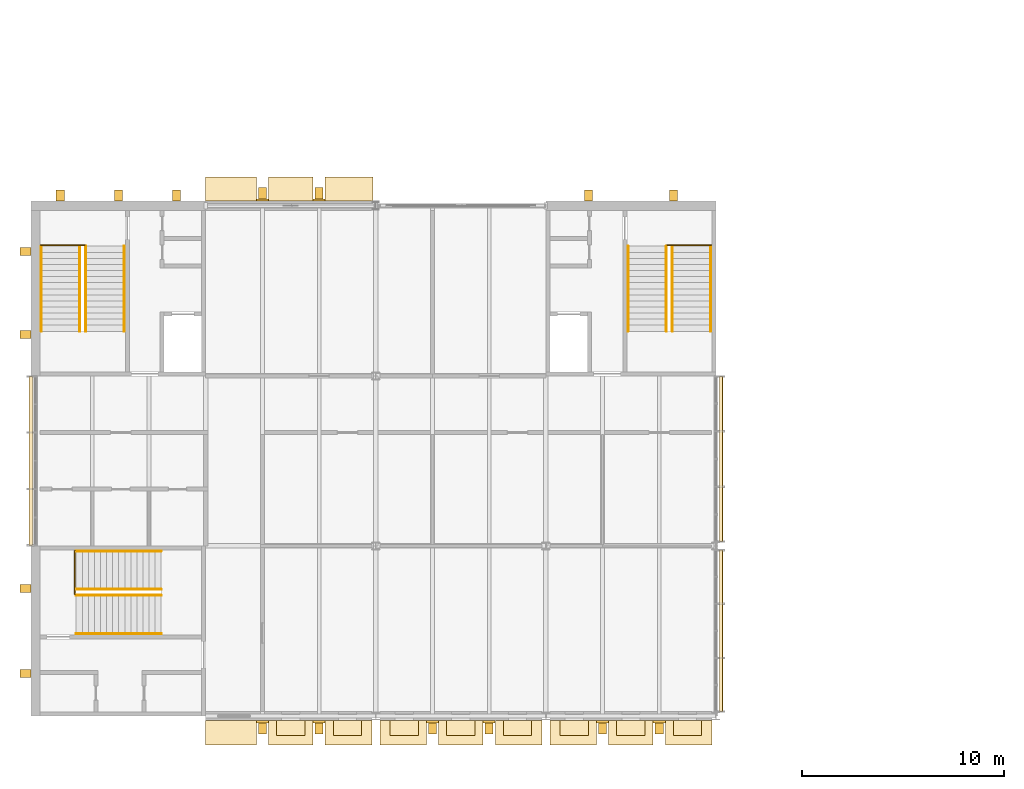
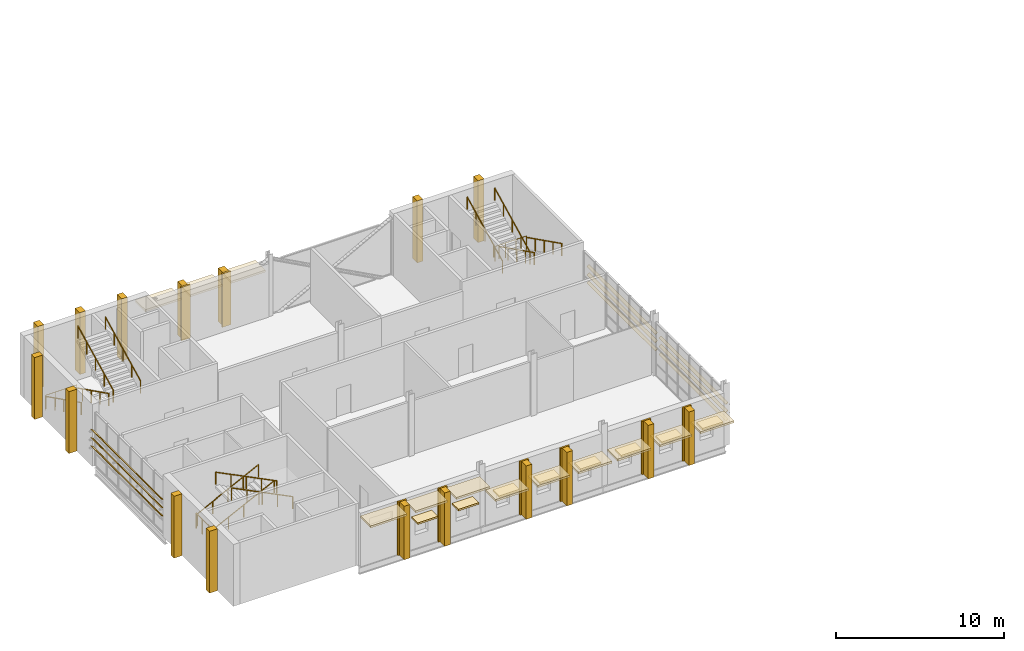
# One storey, part 21 of 22: 54 coverings, 15 railings.
"""IFC4 building model written with IfcOpenShell, lengths in metres."""

from ifc_helpers import new_model, si_unit, direction, frame, origin, origin_2d, place, context, subcontext, project, spatial, rectangle, circle, extrude, material, layer, layer_set, material_profile, profile_set, type_object, element, save


model = new_model("IFC4")

# Units and contexts
model_context = context("Model", 3, precision=1e-05, world=origin(), true_north=direction((0.0, 1.0)))
body_context = subcontext(model_context, "Body", "Model", "MODEL_VIEW")
ifc_project = project(units=[si_unit("LENGTHUNIT", "METRE"), si_unit("AREAUNIT", "SQUARE_METRE"), si_unit("VOLUMEUNIT", "CUBIC_METRE"), si_unit("PLANEANGLEUNIT", "RADIAN"), si_unit("MASSUNIT", "GRAM", prefix="KILO")], contexts=[model_context])

# Site, building, storey
site_placement = place(None, origin())
site = spatial("IfcSite", under=ifc_project, at=site_placement, CompositionType="ELEMENT")
building_placement = place(site_placement, origin())
building = spatial("IfcBuilding", under=site, at=building_placement, Name="Ardhachandra Cancer Care Centre", CompositionType="ELEMENT")
storey_placement = place(building_placement, frame((0.0, 0.0, 18.0)))
storey = spatial("IfcBuildingStorey", under=building, at=storey_placement, Name="L04", CompositionType="ELEMENT", Elevation=18.0)

# Coverings
ifc_material_1 = material(Name="Brick masonry (clay brick, cement mortar) pier cladding", Category="masonry")
ifc_layer_1 = layer(ifc_material_1, 0.1201171875)
ifc_layer_set_1 = layer_set([ifc_layer_1], Name="Brick masonry (clay brick, cement mortar) pier cladding")
covering_type_1 = type_object("IfcCoveringType", Name="Brick pier cladding 600 x 120", PredefinedType="CLADDING", material=ifc_layer_set_1)
for number, where, z_axis, x_axis, name in (
    (1, (22.0, 96.885009765625, 0.0), (0.0, 0.0, 1.0), (1.0, 0.0, 0.0), "Pier cladding L04 L04/n/0019200_0096600"),
    (2, (24.800048828125, 96.885009765625, 0.0), (0.0, 0.0, 1.0), (1.0, 0.0, 0.0), "Pier cladding L04 L04/n/0019200_0096600"),
    (3, (22.0, 71.114990234375, 0.0), (0.0, 0.0, 1.0), (1.0, 0.0, 0.0), "Pier cladding L04 L04/s/0019200_0071400"),
    (4, (24.800048828125, 71.114990234375, 0.0), (0.0, 0.0, 1.0), (1.0, 0.0, 0.0), "Pier cladding L04 L04/s/0019200_0071400"),
    (5, (30.39990234375, 71.114990234375, 0.0), (0.0, 0.0, 1.0), (1.0, 0.0, 0.0), "Pier cladding L04 L04/s/0027600_0071400"),
    (6, (33.199951171875, 71.114990234375, 0.0), (0.0, 0.0, 1.0), (1.0, 0.0, 0.0), "Pier cladding L04 L04/s/0027600_0071400"),
    (7, (38.800048828125, 71.114990234375, 0.0), (0.0, 0.0, 1.0), (1.0, 0.0, 0.0), "Pier cladding L04 L04/s/0036000_0071400"),
    (8, (41.60009765625, 71.114990234375, 0.0), (0.0, 0.0, 1.0), (1.0, 0.0, 0.0), "Pier cladding L04 L04/s/0036000_0071400"),
):
    element("IfcCovering", number, at=place(storey_placement, frame(where, z_axis=z_axis, x_axis=x_axis)), inside=storey, type_object=covering_type_1, Name=name, PredefinedType="CLADDING", context=body_context, shape_type="SweptSolid", body=[
        extrude(rectangle(XDim=0.60009765625, YDim=0.1201171875, at=origin_2d()), origin(), (0.0, 0.0, 1.0), 3.885986328125),
    ])

# Railings
ifc_material_2 = material(Name="Steel E250 (IS 2062)", Category="steel")
railing_type_1 = type_object("IfcRailingType", Name="Guard 1100", PredefinedType="GUARDRAIL", material=ifc_material_2)
railing_1_placement = place(storey_placement, frame((11.054931640625, 94.659912109375, 0.0)))
element("IfcRailing", 9, at=railing_1_placement, inside=storey, type_object=railing_type_1, Name="Stair well guard K4 L04", PredefinedType="GUARDRAIL", context=body_context, shape_type="SweptSolid", body=[
    extrude(circle(Radius=0.02392578125, at=origin_2d()), frame((0.0, 0.0, 1.076171875), z_axis=(1.0, 0.0, 0.0), x_axis=(0.0, 1.0, 0.0)), (0.0, 0.0, 1.0), 2.170166015625),
    extrude(circle(Radius=0.02099609375, at=origin_2d()), origin(), (0.0, 0.0, 1.0), 1.052001953125),
    extrude(circle(Radius=0.02099609375, at=origin_2d()), frame((0.723388671875, 0.0, 0.0)), (0.0, 0.0, 1.0), 1.052001953125),
    extrude(circle(Radius=0.02099609375, at=origin_2d()), frame((1.44677734375, 0.0, 0.0)), (0.0, 0.0, 1.0), 1.052001953125),
    extrude(circle(Radius=0.02099609375, at=origin_2d()), frame((2.170166015625, 0.0, 0.0)), (0.0, 0.0, 1.0), 1.052001953125),
])
railing_2_placement = place(storey_placement, frame((44.169921875, 94.659912109375, 0.0)))
element("IfcRailing", 10, at=railing_2_placement, inside=storey, type_object=railing_type_1, Name="Stair well guard K5 L04", PredefinedType="GUARDRAIL", context=body_context, shape_type="SweptSolid", body=[
    extrude(circle(Radius=0.02392578125, at=origin_2d()), frame((0.0, 0.0, 1.076171875), z_axis=(-1.0, 0.0, 0.0), x_axis=(0.0, -1.0, 0.0)), (0.0, 0.0, 1.0), 2.169921875),
    extrude(circle(Radius=0.02099609375, at=origin_2d()), origin(), (0.0, 0.0, 1.0), 1.052001953125),
    extrude(circle(Radius=0.02099609375, at=origin_2d()), frame((-0.723388671875, 0.0, 0.0)), (0.0, 0.0, 1.0), 1.052001953125),
    extrude(circle(Radius=0.02099609375, at=origin_2d()), frame((-1.446533203125, 0.0, 0.0)), (0.0, 0.0, 1.0), 1.052001953125),
    extrude(circle(Radius=0.02099609375, at=origin_2d()), frame((-2.169921875, 0.0, 0.0)), (0.0, 0.0, 1.0), 1.052001953125),
])
railing_3_placement = place(storey_placement, frame((12.739990234375, 79.570068359375, 0.0)))
element("IfcRailing", 11, at=railing_3_placement, inside=storey, type_object=railing_type_1, Name="Stair well guard K6 L04", PredefinedType="GUARDRAIL", context=body_context, shape_type="SweptSolid", body=[
    extrude(circle(Radius=0.02392578125, at=origin_2d()), frame((0.0, 0.0, 1.076171875), z_axis=(0.0, -1.0, 0.0), x_axis=(1.0, 0.0, 0.0)), (0.0, 0.0, 1.0), 2.170166015625),
    extrude(circle(Radius=0.02099609375, at=origin_2d()), origin(), (0.0, 0.0, 1.0), 1.052001953125),
    extrude(circle(Radius=0.02099609375, at=origin_2d()), frame((0.0, -0.723388671875, 0.0)), (0.0, 0.0, 1.0), 1.052001953125),
    extrude(circle(Radius=0.02099609375, at=origin_2d()), frame((0.0, -1.44677734375, 0.0)), (0.0, 0.0, 1.0), 1.052001953125),
    extrude(circle(Radius=0.02099609375, at=origin_2d()), frame((0.0, -2.170166015625, 0.0)), (0.0, 0.0, 1.0), 1.052001953125),
])

# Coverings
ifc_material_3 = material(Name="Anodised aluminium extrusion", Category="aluminium")
ifc_material_profile = material_profile(ifc_material_3, rectangle(XDim=0.199951171875, YDim=0.02001953125, at=origin_2d()), Name="Louvre blade 200 x 20")
ifc_profile_set = profile_set([ifc_material_profile], Name="Anodised aluminium extrusion")
covering_type_2 = type_object("IfcCoveringType", Name="Louvre blade 200 x 20", PredefinedType="CLADDING", material=ifc_profile_set)
for number, where, z_axis, x_axis, name in (
    (12, (44.655029296875, 71.614013671875, 1.5), (0.0, 1.0, 0.0), (-0.819152044289, 0.0, -0.573576436351), "Louvre blade over curtain wall L04/e/0044400_0071400 1"),
    (13, (44.655029296875, 71.614013671875, 2.10009765625), (0.0, 1.0, 0.0), (-0.819152044289, 0.0, -0.573576436351), "Louvre blade over curtain wall L04/e/0044400_0071400 2"),
    (14, (44.655029296875, 71.614013671875, 2.699951171875), (0.0, 1.0, 0.0), (-0.819152044289, 0.0, -0.573576436351), "Louvre blade over curtain wall L04/e/0044400_0071400 3"),
):
    element("IfcCovering", number, at=place(storey_placement, frame(where, z_axis=z_axis, x_axis=x_axis)), inside=storey, type_object=covering_type_2, Name=name, PredefinedType="CLADDING", context=body_context, shape_type="SweptSolid", body=[
        extrude(rectangle(XDim=0.199951171875, YDim=0.02001953125, at=origin_2d()), origin(), (0.0, 0.0, 1.0), 7.971923828125),
    ])
for number, where, z_axis, x_axis, name in (
    (15, (44.655029296875, 80.013916015625, 1.5), (0.0, 1.0, 0.0), (-0.819152044289, 0.0, -0.573576436351), "Louvre blade over curtain wall L04/e/0044400_0079800 1"),
    (16, (44.655029296875, 80.013916015625, 2.10009765625), (0.0, 1.0, 0.0), (-0.819152044289, 0.0, -0.573576436351), "Louvre blade over curtain wall L04/e/0044400_0079800 2"),
    (17, (44.655029296875, 80.013916015625, 2.699951171875), (0.0, 1.0, 0.0), (-0.819152044289, 0.0, -0.573576436351), "Louvre blade over curtain wall L04/e/0044400_0079800 3"),
):
    element("IfcCovering", number, at=place(storey_placement, frame(where, z_axis=z_axis, x_axis=x_axis)), inside=storey, type_object=covering_type_2, Name=name, PredefinedType="CLADDING", context=body_context, shape_type="SweptSolid", body=[
        extrude(rectangle(XDim=0.199951171875, YDim=0.02001953125, at=origin_2d()), origin(), (0.0, 0.0, 1.0), 8.156005859375),
    ])
for number, where, z_axis, x_axis, name in (
    (18, (10.544921875, 79.830078125, 1.5), (0.0, 1.0, 0.0), (-0.819152044289, 0.0, 0.573576436351), "Louvre blade over curtain wall L04/w/0010800_0079800 1"),
    (19, (10.544921875, 79.830078125, 2.10009765625), (0.0, 1.0, 0.0), (-0.819152044289, 0.0, 0.573576436351), "Louvre blade over curtain wall L04/w/0010800_0079800 2"),
    (20, (10.544921875, 79.830078125, 2.699951171875), (0.0, 1.0, 0.0), (-0.819152044289, 0.0, 0.573576436351), "Louvre blade over curtain wall L04/w/0010800_0079800 3"),
):
    element("IfcCovering", number, at=place(storey_placement, frame(where, z_axis=z_axis, x_axis=x_axis)), inside=storey, type_object=covering_type_2, Name=name, PredefinedType="CLADDING", context=body_context, shape_type="SweptSolid", body=[
        extrude(rectangle(XDim=0.199951171875, YDim=0.02001953125, at=origin_2d()), origin(), (0.0, 0.0, 1.0), 8.33984375),
    ])
ifc_material_4 = material(Name="Precast Concrete M25", Category="concrete")
ifc_layer_2 = layer(ifc_material_4, 0.1201171875)
ifc_layer_set_2 = layer_set([ifc_layer_2], Name="Precast Concrete M25")
covering_type_3 = type_object("IfcCoveringType", Name="Precast chajja 750 x 120", PredefinedType="USERDEFINED", material=ifc_layer_set_2)
for number, where, z_axis, x_axis, name in (
    (21, (23.39990234375, 70.800048828125, 2.300048828125), (0.0, 0.0, 1.0), (1.0, 0.0, 0.0), "Chajja L04/s/0019200_0071400/02"),
    (22, (26.199951171875, 70.800048828125, 2.300048828125), (0.0, 0.0, 1.0), (1.0, 0.0, 0.0), "Chajja L04/s/0019200_0071400/03"),
    (23, (29.0, 70.800048828125, 2.300048828125), (0.0, 0.0, 1.0), (1.0, 0.0, 0.0), "Chajja L04/s/0027600_0071400/01"),
    (24, (31.800048828125, 70.800048828125, 2.300048828125), (0.0, 0.0, 1.0), (1.0, 0.0, 0.0), "Chajja L04/s/0027600_0071400/02"),
    (25, (34.60009765625, 70.800048828125, 2.300048828125), (0.0, 0.0, 1.0), (1.0, 0.0, 0.0), "Chajja L04/s/0027600_0071400/03"),
    (26, (37.39990234375, 70.800048828125, 2.300048828125), (0.0, 0.0, 1.0), (1.0, 0.0, 0.0), "Chajja L04/s/0036000_0071400/01"),
    (27, (40.199951171875, 70.800048828125, 2.300048828125), (0.0, 0.0, 1.0), (1.0, 0.0, 0.0), "Chajja L04/s/0036000_0071400/02"),
    (28, (43.0, 70.800048828125, 2.300048828125), (0.0, 0.0, 1.0), (1.0, 0.0, 0.0), "Chajja L04/s/0036000_0071400/03"),
):
    element("IfcCovering", number, at=place(storey_placement, frame(where, z_axis=z_axis, x_axis=x_axis)), inside=storey, type_object=covering_type_3, Name=name, ObjectType="CHAJJA", PredefinedType="USERDEFINED", context=body_context, shape_type="SweptSolid", body=[
        extrude(rectangle(XDim=1.39990234375, YDim=0.75, at=origin_2d()), origin(), (0.0, 0.0, 1.0), 0.1201171875),
    ])
ifc_material_5 = material(Name="Precast Concrete M25", Category="concrete")
ifc_layer_3 = layer(ifc_material_5, 0.39990234375)
ifc_layer_set_3 = layer_set([ifc_layer_3], Name="Precast Concrete M25")
covering_type_4 = type_object("IfcCoveringType", Name="Precast concrete fin 400 x 550", PredefinedType="CLADDING", material=ifc_layer_set_3)
for number, where, z_axis, x_axis, name in (
    (29, (22.0, 97.219970703125, 0.0), (0.0, 0.0, 1.0), (1.0, 0.0, 0.0), "Fin L04 L04/n/0019200_0096600"),
    (30, (24.800048828125, 97.219970703125, 0.0), (0.0, 0.0, 1.0), (1.0, 0.0, 0.0), "Fin L04 L04/n/0019200_0096600"),
    (31, (22.0, 70.780029296875, 0.0), (0.0, 0.0, 1.0), (1.0, 0.0, 0.0), "Fin L04 L04/s/0019200_0071400"),
    (32, (24.800048828125, 70.780029296875, 0.0), (0.0, 0.0, 1.0), (1.0, 0.0, 0.0), "Fin L04 L04/s/0019200_0071400"),
    (33, (30.39990234375, 70.780029296875, 0.0), (0.0, 0.0, 1.0), (1.0, 0.0, 0.0), "Fin L04 L04/s/0027600_0071400"),
    (34, (33.199951171875, 70.780029296875, 0.0), (0.0, 0.0, 1.0), (1.0, 0.0, 0.0), "Fin L04 L04/s/0027600_0071400"),
    (35, (38.800048828125, 70.780029296875, 0.0), (0.0, 0.0, 1.0), (1.0, 0.0, 0.0), "Fin L04 L04/s/0036000_0071400"),
    (36, (41.60009765625, 70.780029296875, 0.0), (0.0, 0.0, 1.0), (1.0, 0.0, 0.0), "Fin L04 L04/s/0036000_0071400"),
):
    element("IfcCovering", number, at=place(storey_placement, frame(where, z_axis=z_axis, x_axis=x_axis)), inside=storey, type_object=covering_type_4, Name=name, PredefinedType="CLADDING", context=body_context, shape_type="SweptSolid", body=[
        extrude(rectangle(XDim=0.39990234375, YDim=0.550048828125, at=origin_2d()), origin(), (0.0, 0.0, 1.0), 3.885986328125),
    ])
for number, where, z_axis, x_axis, name in (
    (37, (12.012451171875, 97.10009765625, 0.0), (0.0, 0.0, 1.0), (1.0, 0.0, 0.0), "Fin L04 core K4 1"),
    (38, (14.887451171875, 97.10009765625, 0.0), (0.0, 0.0, 1.0), (1.0, 0.0, 0.0), "Fin L04 core K4 2"),
    (39, (17.762451171875, 97.10009765625, 0.0), (0.0, 0.0, 1.0), (1.0, 0.0, 0.0), "Fin L04 core K4 3"),
    (40, (10.300048828125, 90.24365234375, 0.0), (0.0, 0.0, 1.0), (0.0, 1.0, 0.0), "Fin L04 core K4 1"),
    (41, (10.300048828125, 94.331298828125, 0.0), (0.0, 0.0, 1.0), (0.0, 1.0, 0.0), "Fin L04 core K4 2"),
    (42, (38.10009765625, 97.10009765625, 0.0), (0.0, 0.0, 1.0), (1.0, 0.0, 0.0), "Fin L04 core K5 1"),
    (43, (42.300048828125, 97.10009765625, 0.0), (0.0, 0.0, 1.0), (1.0, 0.0, 0.0), "Fin L04 core K5 2"),
    (44, (10.300048828125, 73.5, 0.0), (0.0, 0.0, 1.0), (0.0, 1.0, 0.0), "Fin L04 core K6 1"),
    (45, (10.300048828125, 77.699951171875, 0.0), (0.0, 0.0, 1.0), (0.0, 1.0, 0.0), "Fin L04 core K6 2"),
):
    element("IfcCovering", number, at=place(storey_placement, frame(where, z_axis=z_axis, x_axis=x_axis)), inside=storey, type_object=covering_type_4, Name=name, PredefinedType="CLADDING", context=body_context, shape_type="SweptSolid", body=[
        extrude(rectangle(XDim=0.39990234375, YDim=0.550048828125, at=origin_2d()), origin(), (0.0, 0.0, 1.0), 4.5),
    ])
ifc_material_6 = material(Name="Precast Concrete M25", Category="concrete")
ifc_layer_4 = layer(ifc_material_6, 0.14990234375)
ifc_layer_set_4 = layer_set([ifc_layer_4], Name="Precast Concrete M25")
covering_type_5 = type_object("IfcCoveringType", Name="Precast sunshade band 1200 x 150", PredefinedType="CLADDING", material=ifc_layer_set_4)
covering_1_placement = place(storey_placement, frame((20.449951171875, 70.574951171875, 3.550048828125), z_axis=(0.0, 0.0, 1.0), x_axis=(1.0, 0.0, 0.0)))
element("IfcCovering", 46, at=covering_1_placement, inside=storey, type_object=covering_type_5, Name="Sunshade band L04 L04/s/0019200_0071400 1", PredefinedType="CLADDING", context=body_context, shape_type="SweptSolid", body=[
    extrude(rectangle(XDim=2.5, YDim=1.199951171875, at=origin_2d()), origin(), (0.0, 0.0, 1.0), 0.14990234375),
])
covering_2_placement = place(storey_placement, frame((23.39990234375, 70.574951171875, 3.550048828125), z_axis=(0.0, 0.0, 1.0), x_axis=(1.0, 0.0, 0.0)))
element("IfcCovering", 47, at=covering_2_placement, inside=storey, type_object=covering_type_5, Name="Sunshade band L04 L04/s/0019200_0071400 2", PredefinedType="CLADDING", context=body_context, shape_type="SweptSolid", body=[
    extrude(rectangle(XDim=2.199951171875, YDim=1.199951171875, at=origin_2d()), origin(), (0.0, 0.0, 1.0), 0.14990234375),
])
for number, where, z_axis, x_axis, name in (
    (48, (26.252197265625, 70.574951171875, 3.550048828125), (0.0, 0.0, 1.0), (1.0, 0.0, 0.0), "Sunshade band L04 L04/s/0019200_0071400 3"),
    (49, (28.94775390625, 70.574951171875, 2.449951171875), (0.0, 0.0, 1.0), (1.0, 0.0, 0.0), "Sunshade band L04 L04/s/0027600_0071400 1"),
):
    element("IfcCovering", number, at=place(storey_placement, frame(where, z_axis=z_axis, x_axis=x_axis)), inside=storey, type_object=covering_type_5, Name=name, PredefinedType="CLADDING", context=body_context, shape_type="SweptSolid", body=[
        extrude(rectangle(XDim=2.304443359375, YDim=1.199951171875, at=origin_2d()), origin(), (0.0, 0.0, 1.0), 0.14990234375),
    ])
covering_3_placement = place(storey_placement, frame((31.800048828125, 70.574951171875, 2.449951171875), z_axis=(0.0, 0.0, 1.0), x_axis=(1.0, 0.0, 0.0)))
element("IfcCovering", 50, at=covering_3_placement, inside=storey, type_object=covering_type_5, Name="Sunshade band L04 L04/s/0027600_0071400 2", PredefinedType="CLADDING", context=body_context, shape_type="SweptSolid", body=[
    extrude(rectangle(XDim=2.199951171875, YDim=1.199951171875, at=origin_2d()), origin(), (0.0, 0.0, 1.0), 0.14990234375),
])
for number, where, z_axis, x_axis, name in (
    (51, (34.65234375, 70.574951171875, 2.449951171875), (0.0, 0.0, 1.0), (1.0, 0.0, 0.0), "Sunshade band L04 L04/s/0027600_0071400 3"),
    (52, (37.34765625, 70.574951171875, 2.449951171875), (0.0, 0.0, 1.0), (1.0, 0.0, 0.0), "Sunshade band L04 L04/s/0036000_0071400 1"),
):
    element("IfcCovering", number, at=place(storey_placement, frame(where, z_axis=z_axis, x_axis=x_axis)), inside=storey, type_object=covering_type_5, Name=name, PredefinedType="CLADDING", context=body_context, shape_type="SweptSolid", body=[
        extrude(rectangle(XDim=2.304443359375, YDim=1.199951171875, at=origin_2d()), origin(), (0.0, 0.0, 1.0), 0.14990234375),
    ])
covering_4_placement = place(storey_placement, frame((40.199951171875, 70.574951171875, 2.449951171875), z_axis=(0.0, 0.0, 1.0), x_axis=(1.0, 0.0, 0.0)))
element("IfcCovering", 53, at=covering_4_placement, inside=storey, type_object=covering_type_5, Name="Sunshade band L04 L04/s/0036000_0071400 2", PredefinedType="CLADDING", context=body_context, shape_type="SweptSolid", body=[
    extrude(rectangle(XDim=2.199951171875, YDim=1.199951171875, at=origin_2d()), origin(), (0.0, 0.0, 1.0), 0.14990234375),
])
covering_5_placement = place(storey_placement, frame((43.05224609375, 70.574951171875, 2.449951171875), z_axis=(0.0, 0.0, 1.0), x_axis=(1.0, 0.0, 0.0)))
element("IfcCovering", 54, at=covering_5_placement, inside=storey, type_object=covering_type_5, Name="Sunshade band L04 L04/s/0036000_0071400 3", PredefinedType="CLADDING", context=body_context, shape_type="SweptSolid", body=[
    extrude(rectangle(XDim=2.304443359375, YDim=1.199951171875, at=origin_2d()), origin(), (0.0, 0.0, 1.0), 0.14990234375),
])
covering_6_placement = place(storey_placement, frame((20.449951171875, 97.425048828125, 2.986083984375), z_axis=(0.0, 0.0, 1.0), x_axis=(1.0, 0.0, 0.0)))
element("IfcCovering", 55, at=covering_6_placement, inside=storey, type_object=covering_type_5, Name="Sunshade band L04 L04/n/0019200_0096600 1", PredefinedType="CLADDING", context=body_context, shape_type="SweptSolid", body=[
    extrude(rectangle(XDim=2.5, YDim=1.199951171875, at=origin_2d()), origin(), (0.0, 0.0, 1.0), 0.14990234375),
])
covering_7_placement = place(storey_placement, frame((23.39990234375, 97.425048828125, 2.986083984375), z_axis=(0.0, 0.0, 1.0), x_axis=(1.0, 0.0, 0.0)))
element("IfcCovering", 56, at=covering_7_placement, inside=storey, type_object=covering_type_5, Name="Sunshade band L04 L04/n/0019200_0096600 2", PredefinedType="CLADDING", context=body_context, shape_type="SweptSolid", body=[
    extrude(rectangle(XDim=2.199951171875, YDim=1.199951171875, at=origin_2d()), origin(), (0.0, 0.0, 1.0), 0.14990234375),
])
covering_8_placement = place(storey_placement, frame((26.27490234375, 97.425048828125, 2.986083984375), z_axis=(0.0, 0.0, 1.0), x_axis=(1.0, 0.0, 0.0)))
element("IfcCovering", 57, at=covering_8_placement, inside=storey, type_object=covering_type_5, Name="Sunshade band L04 L04/n/0019200_0096600 3", PredefinedType="CLADDING", context=body_context, shape_type="SweptSolid", body=[
    extrude(rectangle(XDim=2.35009765625, YDim=1.199951171875, at=origin_2d()), origin(), (0.0, 0.0, 1.0), 0.14990234375),
])

# Railings
ifc_material_7 = material(Name="Steel E250 (IS 2062)", Category="steel")
railing_type_2 = type_object("IfcRailingType", Name="Stair handrail 900", PredefinedType="HANDRAIL", material=ifc_material_7)
for number, where, name in (
    (58, (11.0849609375, 94.60009765625, 0.14990234375), "Handrail K4 L04-L05 flight 1 wall side"),
    (59, (12.97509765625, 94.60009765625, 0.14990234375), "Handrail K4 L04-L05 flight 1 well side"),
):
    element("IfcRailing", number, at=place(storey_placement, frame(where)), inside=storey, type_object=railing_type_2, Name=name, PredefinedType="HANDRAIL", context=body_context, shape_type="SweptSolid", body=[
        extrude(circle(Radius=0.02392578125, at=origin_2d()), frame((0.0, 0.0, 0.8759765625), z_axis=(0.0, -0.894427191, 0.4472135955), x_axis=(1.0, 0.0, 0.0)), (0.0, 0.0, 1.0), 4.696044921875),
        extrude(circle(Radius=0.02099609375, at=origin_2d()), origin(), (0.0, 0.0, 1.0), 0.851806640625),
        extrude(circle(Radius=0.02099609375, at=origin_2d()), frame((0.0, -1.050048828125, 0.52490234375)), (0.0, 0.0, 1.0), 0.851806640625),
        extrude(circle(Radius=0.02099609375, at=origin_2d()), frame((0.0, -2.10009765625, 1.050048828125)), (0.0, 0.0, 1.0), 0.851806640625),
        extrude(circle(Radius=0.02099609375, at=origin_2d()), frame((0.0, -3.150146484375, 1.5751953125)), (0.0, 0.0, 1.0), 0.851806640625),
        extrude(circle(Radius=0.02099609375, at=origin_2d()), frame((0.0, -4.2001953125, 2.10009765625)), (0.0, 0.0, 1.0), 0.851806640625),
    ])
for number, where, name in (
    (60, (13.27490234375, 90.39990234375, 2.39990234375), "Handrail K4 L04-L05 flight 2 well side"),
    (61, (15.1650390625, 90.39990234375, 2.39990234375), "Handrail K4 L04-L05 flight 2 wall side"),
):
    element("IfcRailing", number, at=place(storey_placement, frame(where)), inside=storey, type_object=railing_type_2, Name=name, PredefinedType="HANDRAIL", context=body_context, shape_type="SweptSolid", body=[
        extrude(circle(Radius=0.02392578125, at=origin_2d()), frame((0.0, 0.0, 0.8759765625), z_axis=(0.0, 0.894427191, 0.4472135955), x_axis=(-1.0, 0.0, 0.0)), (0.0, 0.0, 1.0), 4.696044921875),
        extrude(circle(Radius=0.02099609375, at=origin_2d()), origin(), (0.0, 0.0, 1.0), 0.851806640625),
        extrude(circle(Radius=0.02099609375, at=origin_2d()), frame((0.0, 1.050048828125, 0.52490234375)), (0.0, 0.0, 1.0), 0.851806640625),
        extrude(circle(Radius=0.02099609375, at=origin_2d()), frame((0.0, 2.10009765625, 1.050048828125)), (0.0, 0.0, 1.0), 0.851806640625),
        extrude(circle(Radius=0.02099609375, at=origin_2d()), frame((0.0, 3.150146484375, 1.5751953125)), (0.0, 0.0, 1.0), 0.851806640625),
        extrude(circle(Radius=0.02099609375, at=origin_2d()), frame((0.0, 4.2001953125, 2.10009765625)), (0.0, 0.0, 1.0), 0.851806640625),
    ])
for number, where, name in (
    (62, (44.139892578125, 94.60009765625, 0.14990234375), "Handrail K5 L04-L05 flight 1 wall side"),
    (63, (42.25, 94.60009765625, 0.14990234375), "Handrail K5 L04-L05 flight 1 well side"),
):
    element("IfcRailing", number, at=place(storey_placement, frame(where)), inside=storey, type_object=railing_type_2, Name=name, PredefinedType="HANDRAIL", context=body_context, shape_type="SweptSolid", body=[
        extrude(circle(Radius=0.02392578125, at=origin_2d()), frame((0.0, 0.0, 0.8759765625), z_axis=(0.0, -0.894427191, 0.4472135955), x_axis=(1.0, 0.0, 0.0)), (0.0, 0.0, 1.0), 4.696044921875),
        extrude(circle(Radius=0.02099609375, at=origin_2d()), origin(), (0.0, 0.0, 1.0), 0.851806640625),
        extrude(circle(Radius=0.02099609375, at=origin_2d()), frame((0.0, -1.050048828125, 0.52490234375)), (0.0, 0.0, 1.0), 0.851806640625),
        extrude(circle(Radius=0.02099609375, at=origin_2d()), frame((0.0, -2.10009765625, 1.050048828125)), (0.0, 0.0, 1.0), 0.851806640625),
        extrude(circle(Radius=0.02099609375, at=origin_2d()), frame((0.0, -3.150146484375, 1.5751953125)), (0.0, 0.0, 1.0), 0.851806640625),
        extrude(circle(Radius=0.02099609375, at=origin_2d()), frame((0.0, -4.2001953125, 2.10009765625)), (0.0, 0.0, 1.0), 0.851806640625),
    ])
for number, where, name in (
    (64, (41.949951171875, 90.39990234375, 2.39990234375), "Handrail K5 L04-L05 flight 2 well side"),
    (65, (40.06005859375, 90.39990234375, 2.39990234375), "Handrail K5 L04-L05 flight 2 wall side"),
):
    element("IfcRailing", number, at=place(storey_placement, frame(where)), inside=storey, type_object=railing_type_2, Name=name, PredefinedType="HANDRAIL", context=body_context, shape_type="SweptSolid", body=[
        extrude(circle(Radius=0.02392578125, at=origin_2d()), frame((0.0, 0.0, 0.8759765625), z_axis=(0.0, 0.894427191, 0.4472135955), x_axis=(-1.0, 0.0, 0.0)), (0.0, 0.0, 1.0), 4.696044921875),
        extrude(circle(Radius=0.02099609375, at=origin_2d()), origin(), (0.0, 0.0, 1.0), 0.851806640625),
        extrude(circle(Radius=0.02099609375, at=origin_2d()), frame((0.0, 1.050048828125, 0.52490234375)), (0.0, 0.0, 1.0), 0.851806640625),
        extrude(circle(Radius=0.02099609375, at=origin_2d()), frame((0.0, 2.10009765625, 1.050048828125)), (0.0, 0.0, 1.0), 0.851806640625),
        extrude(circle(Radius=0.02099609375, at=origin_2d()), frame((0.0, 3.150146484375, 1.5751953125)), (0.0, 0.0, 1.0), 0.851806640625),
        extrude(circle(Radius=0.02099609375, at=origin_2d()), frame((0.0, 4.2001953125, 2.10009765625)), (0.0, 0.0, 1.0), 0.851806640625),
    ])
for number, where, name in (
    (66, (12.800048828125, 79.5400390625, 0.14990234375), "Handrail K6 L04-L05 flight 1 wall side"),
    (67, (12.800048828125, 77.64990234375, 0.14990234375), "Handrail K6 L04-L05 flight 1 well side"),
):
    element("IfcRailing", number, at=place(storey_placement, frame(where)), inside=storey, type_object=railing_type_2, Name=name, PredefinedType="HANDRAIL", context=body_context, shape_type="SweptSolid", body=[
        extrude(circle(Radius=0.02392578125, at=origin_2d()), frame((0.0, 0.0, 0.8759765625), z_axis=(0.894416792377, 0.0, 0.447234392142), x_axis=(0.0, 1.0, 0.0)), (0.0, 0.0, 1.0), 4.69580078125),
        extrude(circle(Radius=0.02099609375, at=origin_2d()), origin(), (0.0, 0.0, 1.0), 0.851806640625),
        extrude(circle(Radius=0.02099609375, at=origin_2d()), frame((1.050048828125, 0.0, 0.52490234375)), (0.0, 0.0, 1.0), 0.851806640625),
        extrude(circle(Radius=0.02099609375, at=origin_2d()), frame((2.10009765625, 0.0, 1.050048828125)), (0.0, 0.0, 1.0), 0.851806640625),
        extrude(circle(Radius=0.02099609375, at=origin_2d()), frame((3.14990234375, 0.0, 1.5751953125)), (0.0, 0.0, 1.0), 0.851806640625),
        extrude(circle(Radius=0.02099609375, at=origin_2d()), frame((4.199951171875, 0.0, 2.10009765625)), (0.0, 0.0, 1.0), 0.851806640625),
    ])
for number, where, name in (
    (68, (17.0, 77.35009765625, 2.39990234375), "Handrail K6 L04-L05 flight 2 well side"),
    (69, (17.0, 75.4599609375, 2.39990234375), "Handrail K6 L04-L05 flight 2 wall side"),
):
    element("IfcRailing", number, at=place(storey_placement, frame(where)), inside=storey, type_object=railing_type_2, Name=name, PredefinedType="HANDRAIL", context=body_context, shape_type="SweptSolid", body=[
        extrude(circle(Radius=0.02392578125, at=origin_2d()), frame((0.0, 0.0, 0.8759765625), z_axis=(-0.894416792377, 0.0, 0.447234392142), x_axis=(0.0, -1.0, 0.0)), (0.0, 0.0, 1.0), 4.69580078125),
        extrude(circle(Radius=0.02099609375, at=origin_2d()), origin(), (0.0, 0.0, 1.0), 0.851806640625),
        extrude(circle(Radius=0.02099609375, at=origin_2d()), frame((-1.050048828125, 0.0, 0.52490234375)), (0.0, 0.0, 1.0), 0.851806640625),
        extrude(circle(Radius=0.02099609375, at=origin_2d()), frame((-2.10009765625, 0.0, 1.050048828125)), (0.0, 0.0, 1.0), 0.851806640625),
        extrude(circle(Radius=0.02099609375, at=origin_2d()), frame((-3.14990234375, 0.0, 1.5751953125)), (0.0, 0.0, 1.0), 0.851806640625),
        extrude(circle(Radius=0.02099609375, at=origin_2d()), frame((-4.199951171875, 0.0, 2.10009765625)), (0.0, 0.0, 1.0), 0.851806640625),
    ])

save(model, "model.ifc")
